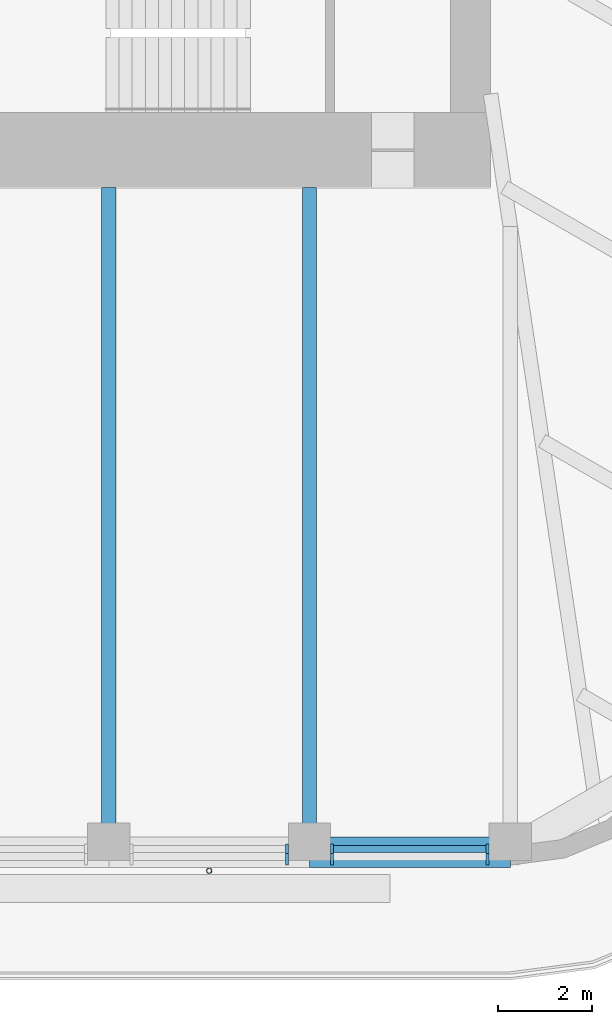
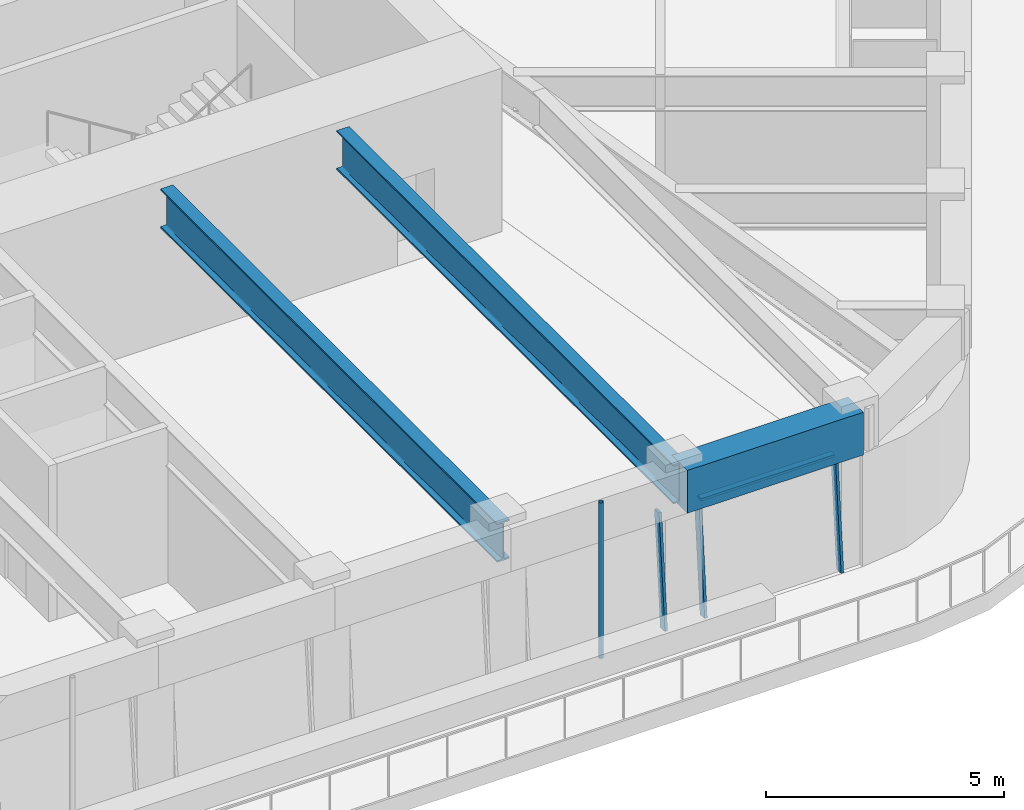
# One storey, part 4 of 19: 5 members, 3 beams, 2 elements without a shape of their own.
"""IFC4 building model written with IfcOpenShell, lengths in metres."""

from ifc_helpers import new_model, si_unit, direction, frame, origin, origin_2d, place, context, subcontext, project, spatial, rectangle, hollow_circle, i_section, extrude, material, material_profile, profile_set, type_object, element, aggregate, save


model = new_model("IFC4")

# Units and contexts
model_context = context("Model", 3, precision=1e-05, world=origin(), true_north=direction((0.0, 1.0)))
body_context = subcontext(model_context, "Body", "Model", "MODEL_VIEW")
ifc_project = project(units=[si_unit("LENGTHUNIT", "METRE"), si_unit("AREAUNIT", "SQUARE_METRE"), si_unit("VOLUMEUNIT", "CUBIC_METRE"), si_unit("PLANEANGLEUNIT", "RADIAN"), si_unit("MASSUNIT", "GRAM", prefix="KILO")], contexts=[model_context])

# Site, building, storey
site_placement = place(None, origin())
site = spatial("IfcSite", under=ifc_project, at=site_placement, CompositionType="ELEMENT")
building_placement = place(site_placement, origin())
building = spatial("IfcBuilding", under=site, at=building_placement, Name="Tarfa Lantern Tower", CompositionType="ELEMENT")
storey_placement = place(building_placement, frame((0.0, 0.0, 366.10009765625)))
storey = spatial("IfcBuildingStorey", under=building, at=storey_placement, Name="L83", CompositionType="ELEMENT", Elevation=366.10009765625)

# Curtain wall, member
ifc_material_1 = material(Name="Aluminium framed curtain wall", Category="aluminium")
curtain_wall_type = type_object("IfcCurtainWallType", Name="CW4 CANTED GLAZING EXECUTIVE ZONE 2900", PredefinedType="USERDEFINED", material=ifc_material_1)
curtain_wall_1_placement = place(storey_placement, origin())
curtain_wall_1 = element("IfcCurtainWall", 1, at=curtain_wall_1_placement, inside=storey, type_object=curtain_wall_type, Name="CW4 S L83", ObjectType="CURTAIN WALL", PredefinedType="USERDEFINED")
ifc_material_2 = material(Name="Aluminium mullion", Category="aluminium")
ifc_material_profile_1 = material_profile(ifc_material_2, rectangle(XDim=0.06494140625, YDim=0.199951171875, at=origin_2d()), Name="AL MULLION 65x200")
ifc_profile_set_1 = profile_set([ifc_material_profile_1], Name="Aluminium mullion")
member_type_1 = type_object("IfcMemberType", Name="CWM1 MULLION 65x200", PredefinedType="MULLION", material=ifc_profile_set_1)
member_1_placement = place(storey_placement, frame((8.08154296875, -26.64990234375, 0.0), z_axis=(0.0, 0.085891213166, 0.99630452147), x_axis=(-1.0, 0.0, 0.0)))
member_1 = element("IfcMember", 2, at=member_1_placement, type_object=member_type_1, Name="CW4 mullion 2", PredefinedType="MULLION", context=body_context, shape_type="SweptSolid", body=[
    extrude(rectangle(XDim=0.06494140625, YDim=0.199951171875, at=origin_2d()), origin(), (0.0, 0.0, 1.0), 2.91064453125),
])
aggregate(curtain_wall_1, [member_1])

# Curtain wall, members
curtain_wall_2_placement = place(storey_placement, origin())
curtain_wall_2 = element("IfcCurtainWall", 3, at=curtain_wall_2_placement, inside=storey, type_object=curtain_wall_type, Name="CW4 S L83", ObjectType="CURTAIN WALL", PredefinedType="USERDEFINED")
member_2_placement = place(storey_placement, frame((9.046630859375, -26.64990234375, 0.0), z_axis=(0.0, 0.085891213166, 0.99630452147), x_axis=(-1.0, 0.0, 0.0)))
member_2 = element("IfcMember", 4, at=member_2_placement, type_object=member_type_1, Name="CW4 mullion 1", PredefinedType="MULLION", context=body_context, shape_type="SweptSolid", body=[
    extrude(rectangle(XDim=0.06494140625, YDim=0.199951171875, at=origin_2d()), origin(), (0.0, 0.0, 1.0), 2.91064453125),
])
member_3_placement = place(storey_placement, frame((12.363525390625, -26.64990234375, 0.0), z_axis=(0.0, 0.085891213166, 0.99630452147), x_axis=(-1.0, 0.0, 0.0)))
member_3 = element("IfcMember", 5, at=member_3_placement, type_object=member_type_1, Name="CW4 mullion 2", PredefinedType="MULLION", context=body_context, shape_type="SweptSolid", body=[
    extrude(rectangle(XDim=0.06494140625, YDim=0.199951171875, at=origin_2d()), origin(), (0.0, 0.0, 1.0), 2.91064453125),
])
ifc_material_3 = material(Name="Aluminium transom", Category="aluminium")
ifc_material_profile_2 = material_profile(ifc_material_3, rectangle(XDim=0.14990234375, YDim=0.06494140625, at=origin_2d()), Name="AL TRANSOM 150x65")
ifc_profile_set_2 = profile_set([ifc_material_profile_2], Name="Aluminium transom")
member_type_2 = type_object("IfcMemberType", Name="CWT1 TRANSOM 150x65", PredefinedType="USERDEFINED", material=ifc_profile_set_2)
member_4_placement = place(storey_placement, frame((9.0791015625, -26.40283203125, 2.867431640625), z_axis=(1.0, 0.0, 0.0), x_axis=(0.0, 1.0, 0.0)))
member_4 = element("IfcMember", 6, at=member_4_placement, type_object=member_type_2, Name="CW4 transom 1.2", ObjectType="TRANSOM", PredefinedType="USERDEFINED", context=body_context, shape_type="SweptSolid", body=[
    extrude(rectangle(XDim=0.14990234375, YDim=0.06494140625, at=origin_2d()), origin(), (0.0, 0.0, 1.0), 3.251953125),
])
aggregate(curtain_wall_2, [member_2, member_3, member_4])

# Beam
ifc_material_4 = material(Name="Concrete C80/95", Category="concrete")
ifc_material_profile_3 = material_profile(ifc_material_4, rectangle(XDim=0.64990234375, YDim=1.10009765625, at=origin_2d()), Name="RC 650x1100")
ifc_profile_set_3 = profile_set([ifc_material_profile_3], Name="Concrete C80/95")
beam_type_1 = type_object("IfcBeamType", Name="EB4 RC 650x1100", PredefinedType="SPANDREL", material=ifc_profile_set_3)
beam_placement = place(storey_placement, frame((8.56396484375, -26.469970703125, 3.449951171875), z_axis=(1.0, 0.0, 0.0), x_axis=(0.0, 1.0, 0.0)))
element("IfcBeam", 7, at=beam_placement, inside=storey, type_object=beam_type_1, Name="Edge beam S5", PredefinedType="SPANDREL", context=body_context, shape_type="SweptSolid", body=[
    extrude(rectangle(XDim=0.64990234375, YDim=1.10009765625, at=origin_2d()), origin(), (0.0, 0.0, 1.0), 4.281982421875),
])

# Member
ifc_material_5 = material(Name="Steel S355", Category="steel")
ifc_material_profile_4 = material_profile(ifc_material_5, hollow_circle(Radius=0.05712890625, WallThickness=0.00634765625, at=origin_2d()), Name="CHS114.3x6.3")
ifc_profile_set_4 = profile_set([ifc_material_profile_4], Name="Steel S355")
member_type_3 = type_object("IfcMemberType", Name="TR1 GREEN WALL TRELLIS CHS114.3x6.3", PredefinedType="USERDEFINED", material=ifc_profile_set_4)
member_5_placement = place(storey_placement, frame((6.423095703125, -26.8701171875, 0.0), z_axis=(0.0, 0.0, 1.0), x_axis=(1.0, 0.0, 0.0)))
element("IfcMember", 8, at=member_5_placement, inside=storey, type_object=member_type_3, Name="Trellis post S 2", ObjectType="TRELLIS", PredefinedType="USERDEFINED", context=body_context, shape_type="SweptSolid", body=[
    extrude(hollow_circle(Radius=0.05712890625, WallThickness=0.00634765625, at=origin_2d()), origin(), (0.0, 0.0, 1.0), 4.0),
])

# Beams
ifc_material_6 = material(Name="Steel S460M", Category="steel")
ifc_material_profile_5 = material_profile(ifc_material_6, i_section(OverallWidth=0.302001953125, OverallDepth=1.008056640625, WebThickness=0.02099609375, FlangeThickness=0.0400390625, FilletRadius=0.030029296875, at=origin_2d()), Name="UB1016x305x349")
ifc_profile_set_5 = profile_set([ifc_material_profile_5], Name="Steel S460M")
beam_type_2 = type_object("IfcBeamType", Name="UB1016x305x349", PredefinedType="BEAM", material=ifc_profile_set_5)
for number, where, z_axis, x_axis, name in (
    (9, (4.281982421875, -26.469970703125, 3.495849609375), (0.0, 1.0, 0.0), (-1.0, 0.0, 0.0), "Floor beam S4"),
    (10, (8.56396484375, -26.469970703125, 3.495849609375), (0.0, 1.0, 0.0), (-1.0, 0.0, 0.0), "Floor beam S5"),
):
    element("IfcBeam", number, at=place(storey_placement, frame(where, z_axis=z_axis, x_axis=x_axis)), inside=storey, type_object=beam_type_2, Name=name, PredefinedType="BEAM", context=body_context, shape_type="SweptSolid", body=[
        extrude(i_section(OverallWidth=0.302001953125, OverallDepth=1.008056640625, WebThickness=0.02099609375, FlangeThickness=0.0400390625, FilletRadius=0.030029296875, at=origin_2d()), origin(), (0.0, 0.0, 1.0), 14.169921875),
    ])

save(model, "model.ifc")
